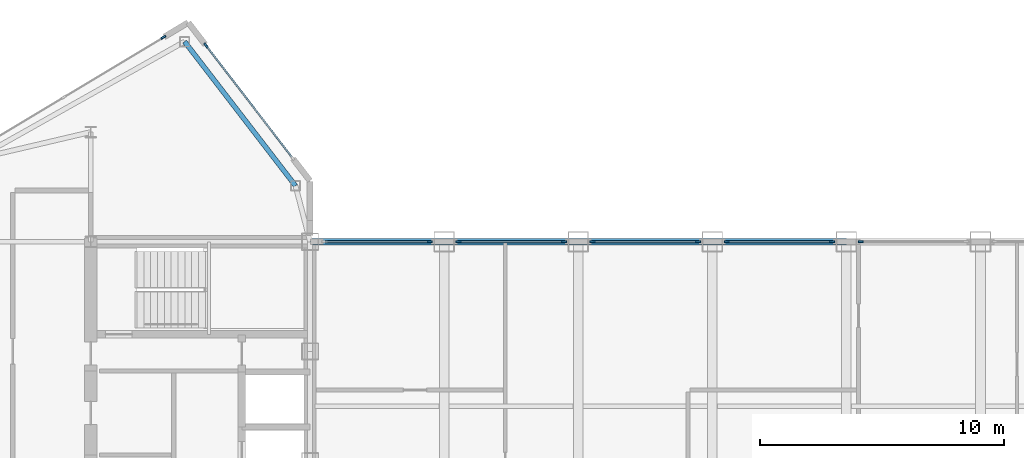
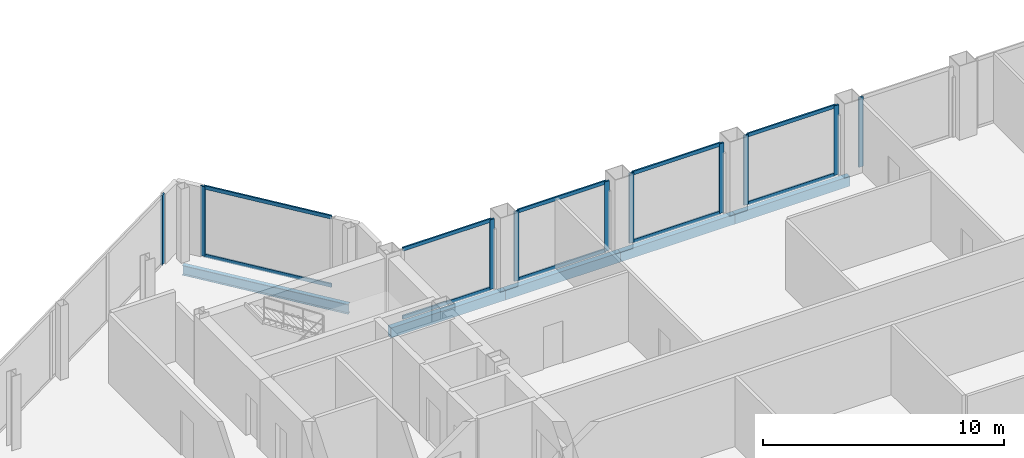
# One storey, part 12 of 29: 20 members, 5 beams, 7 elements without a shape of their own.
"""IFC4 building model written with IfcOpenShell, lengths in metres."""

from ifc_helpers import new_model, si_unit, direction, frame, origin, origin_2d, place, context, subcontext, project, spatial, rectangle, hollow_rectangle, i_section, extrude, source, transform, mapped, material, layer, layer_set, material_profile, profile_set, type_object, type_shapes, element, aggregate, save


model = new_model("IFC4")

# Units and contexts
model_context = context("Model", 3, precision=1e-05, world=origin(), true_north=direction((0.0, 1.0)))
body_context = subcontext(model_context, "Body", "Model", "MODEL_VIEW")
ifc_project = project(units=[si_unit("LENGTHUNIT", "METRE"), si_unit("AREAUNIT", "SQUARE_METRE"), si_unit("VOLUMEUNIT", "CUBIC_METRE"), si_unit("PLANEANGLEUNIT", "RADIAN"), si_unit("MASSUNIT", "GRAM", prefix="KILO")], contexts=[model_context])

# Site, building, storey
site_placement = place(None, origin())
site = spatial("IfcSite", under=ifc_project, at=site_placement, CompositionType="ELEMENT")
building_placement = place(site_placement, origin())
building = spatial("IfcBuilding", under=site, at=building_placement, Name="Seokmaru Belvedere", CompositionType="ELEMENT")
storey_placement = place(building_placement, frame((0.0, 0.0, 254.39990234375)))
storey = spatial("IfcBuildingStorey", under=building, at=storey_placement, Name="L67", CompositionType="ELEMENT", Elevation=254.39990234375)

# Beams
ifc_material_1 = material(Name="Steel SM355 (355 MPa)", Category="steel")
ifc_material_profile_1 = material_profile(ifc_material_1, i_section(OverallWidth=0.199951171875, OverallDepth=0.5, WebThickness=0.010009765625, FlangeThickness=0.01611328125, at=origin_2d()), Name="H-500x200x10x16")
ifc_profile_set_1 = profile_set([ifc_material_profile_1], Name="Steel SM355 (355 MPa)")
beam_type_1 = type_object("IfcBeamType", Name="Perimeter Spandrel Beam H-500", PredefinedType="SPANDREL", material=ifc_profile_set_1)
shared_shape_1 = source(origin(), body_context, "Body", "SweptSolid", [
    extrude(i_section(OverallWidth=0.199951171875, OverallDepth=0.5, WebThickness=0.010009765625, FlangeThickness=0.01611328125, at=origin_2d()), origin(), (0.0, 0.0, 1.0), 7.4619140625),
])
type_shapes(beam_type_1, [shared_shape_1])
beam_placement = place(storey_placement, frame((-32.649658203125, 21.71044921875, -0.469970703125), z_axis=(0.609702854945, -0.792630070507, 0.0), x_axis=(0.792630070507, 0.609702854945, 0.0)))
element("IfcBeam", 1, at=beam_placement, inside=storey, type_object=beam_type_1, Name="L67 W Shoulder Chamfer Spandrel N", PredefinedType="SPANDREL", context=body_context, shape_type="MappedRepresentation", body=[
    mapped(shared_shape_1, transform((0.0, 0.0, 0.0), scale=1.0)),
])
ifc_material_profile_2 = material_profile(ifc_material_1, hollow_rectangle(XDim=0.25, YDim=0.5, WallThickness=0.013916015625, at=origin_2d()), Name="RHS-500x250x14")
ifc_profile_set_2 = profile_set([ifc_material_profile_2], Name="Steel SM355 (355 MPa)")
beam_type_2 = type_object("IfcBeamType", Name="Bridge Edge Spandrel RHS-500", PredefinedType="SPANDREL", material=ifc_profile_set_2)
shared_shape_2 = source(origin(), body_context, "Body", "SweptSolid", [
    extrude(hollow_rectangle(XDim=0.25, YDim=0.5, WallThickness=0.013916015625, at=origin_2d()), origin(), (0.0, 0.0, 1.0), 5.5),
])
type_shapes(beam_type_2, [shared_shape_2])
for number, where, z_axis, x_axis, name in (
    (2, (-27.5, 13.5, -0.469970703125), (1.0, 0.0, 0.0), (0.0, 1.0, 0.0), "L67 Sky-Gate Bridge Edge Girder N-01"),
    (3, (-22.0, 13.5, -0.469970703125), (1.0, 0.0, 0.0), (0.0, 1.0, 0.0), "L67 Sky-Gate Bridge Edge Girder N-02"),
    (4, (-16.5, 13.5, -0.469970703125), (1.0, 0.0, 0.0), (0.0, 1.0, 0.0), "L67 Sky-Gate Bridge Edge Girder N-03"),
    (5, (-11.0, 13.5, -0.469970703125), (1.0, 0.0, 0.0), (0.0, 1.0, 0.0), "L67 Sky-Gate Bridge Edge Girder N-04"),
):
    element("IfcBeam", number, at=place(storey_placement, frame(where, z_axis=z_axis, x_axis=x_axis)), inside=storey, type_object=beam_type_2, Name=name, PredefinedType="SPANDREL", context=body_context, shape_type="MappedRepresentation", body=[
        mapped(shared_shape_2, transform((0.0, 0.0, 0.0), scale=1.0)),
    ])

# Curtain wall, members
ifc_material_2 = material(Name="Bronze Triple Insulating Glass", Category="glass")
ifc_layer = layer(ifc_material_2, 0.219970703125)
ifc_layer_set = layer_set([ifc_layer], Name="Bronze Triple Insulating Glass")
curtain_wall_type = type_object("IfcCurtainWallType", Name="Sky-Gate Bridge Panorama Curtain Wall System CW-6", PredefinedType="NOTDEFINED", material=ifc_layer_set)
curtain_wall_1_placement = place(storey_placement, origin())
curtain_wall_1 = element("IfcCurtainWall", 6, at=curtain_wall_1_placement, inside=storey, type_object=curtain_wall_type, Name="L67 Curtain Wall WF2", PredefinedType="NOTDEFINED")
ifc_material_3 = material(Name="Anodised Bronze Aluminium", Category="aluminium")
ifc_material_profile_3 = material_profile(ifc_material_3, rectangle(XDim=0.074951171875, YDim=0.179931640625, at=origin_2d()), Name="CW-T-75x180")
ifc_profile_set_3 = profile_set([ifc_material_profile_3], Name="Anodised Bronze Aluminium")
member_type_1 = type_object("IfcMemberType", Name="Bronze Unitised Transom 75x180", PredefinedType="USERDEFINED", material=ifc_profile_set_3)
shared_shape_3 = source(origin(), body_context, "Body", "SweptSolid", [
    extrude(rectangle(XDim=0.074951171875, YDim=0.179931640625, at=origin_2d()), origin(), (0.0, 0.0, 1.0), 5.74072265625),
])
member_1_placement = place(storey_placement, frame((-28.25, 16.974853515625, 0.03759765625), z_axis=(-0.609686097287, 0.792642960465, 0.0), x_axis=(-0.792642960465, -0.609686097287, 0.0)))
member_1 = element("IfcMember", 7, at=member_1_placement, type_object=member_type_1, Name="CW:L67:WF2 Continuous Transom 1", ObjectType="TRANSOM", PredefinedType="USERDEFINED", context=body_context, shape_type="MappedRepresentation", body=[
    mapped(shared_shape_3, transform((0.0, 0.0, 0.0), scale=1.0)),
])
member_2_placement = place(storey_placement, frame((-28.25, 16.974853515625, 3.49267578125), z_axis=(-0.609686097287, 0.792642960465, 0.0), x_axis=(-0.792642960465, -0.609686097287, 0.0)))
member_2 = element("IfcMember", 8, at=member_2_placement, type_object=member_type_1, Name="CW:L67:WF2 Continuous Transom 2", ObjectType="TRANSOM", PredefinedType="USERDEFINED", context=body_context, shape_type="MappedRepresentation", body=[
    mapped(shared_shape_3, transform((0.0, 0.0, 0.0), scale=1.0)),
])

curtain_wall_2_placement = place(storey_placement, origin())
curtain_wall_2 = element("IfcCurtainWall", 9, at=curtain_wall_2_placement, inside=storey, type_object=curtain_wall_type, Name="L67 Curtain Wall BR_N01", PredefinedType="NOTDEFINED")
shared_shape_4 = source(origin(), body_context, "Body", "SweptSolid", [
    extrude(rectangle(XDim=0.074951171875, YDim=0.179931640625, at=origin_2d()), origin(), (0.0, 0.0, 1.0), 4.240234375),
])
type_shapes(member_type_1, [shared_shape_3, shared_shape_4])
member_3_placement = place(storey_placement, frame((-22.6298828125, 13.5, 0.03759765625), z_axis=(-1.0, 0.0, 0.0), x_axis=(0.0, -1.0, 0.0)))
member_3 = element("IfcMember", 10, at=member_3_placement, type_object=member_type_1, Name="CW:L67:BR_N01 Continuous Transom 1", ObjectType="TRANSOM", PredefinedType="USERDEFINED", context=body_context, shape_type="MappedRepresentation", body=[
    mapped(shared_shape_4, transform((0.0, 0.0, 0.0), scale=1.0)),
])
member_4_placement = place(storey_placement, frame((-22.6298828125, 13.5, 3.49267578125), z_axis=(-1.0, 0.0, 0.0), x_axis=(0.0, -1.0, 0.0)))
member_4 = element("IfcMember", 11, at=member_4_placement, type_object=member_type_1, Name="CW:L67:BR_N01 Continuous Transom 2", ObjectType="TRANSOM", PredefinedType="USERDEFINED", context=body_context, shape_type="MappedRepresentation", body=[
    mapped(shared_shape_4, transform((0.0, 0.0, 0.0), scale=1.0)),
])

curtain_wall_3_placement = place(storey_placement, origin())
curtain_wall_3 = element("IfcCurtainWall", 12, at=curtain_wall_3_placement, inside=storey, type_object=curtain_wall_type, Name="L67 Curtain Wall BR_N02", PredefinedType="NOTDEFINED")
member_5_placement = place(storey_placement, frame((-17.1298828125, 13.5, 0.03759765625), z_axis=(-1.0, 0.0, 0.0), x_axis=(0.0, -1.0, 0.0)))
member_5 = element("IfcMember", 13, at=member_5_placement, type_object=member_type_1, Name="CW:L67:BR_N02 Continuous Transom 1", ObjectType="TRANSOM", PredefinedType="USERDEFINED", context=body_context, shape_type="MappedRepresentation", body=[
    mapped(shared_shape_4, transform((0.0, 0.0, 0.0), scale=1.0)),
])
member_6_placement = place(storey_placement, frame((-17.1298828125, 13.5, 3.49267578125), z_axis=(-1.0, 0.0, 0.0), x_axis=(0.0, -1.0, 0.0)))
member_6 = element("IfcMember", 14, at=member_6_placement, type_object=member_type_1, Name="CW:L67:BR_N02 Continuous Transom 2", ObjectType="TRANSOM", PredefinedType="USERDEFINED", context=body_context, shape_type="MappedRepresentation", body=[
    mapped(shared_shape_4, transform((0.0, 0.0, 0.0), scale=1.0)),
])

curtain_wall_4_placement = place(storey_placement, origin())
curtain_wall_4 = element("IfcCurtainWall", 15, at=curtain_wall_4_placement, inside=storey, type_object=curtain_wall_type, Name="L67 Curtain Wall BR_N03", PredefinedType="NOTDEFINED")
member_7_placement = place(storey_placement, frame((-11.6298828125, 13.5, 0.03759765625), z_axis=(-1.0, 0.0, 0.0), x_axis=(0.0, -1.0, 0.0)))
member_7 = element("IfcMember", 16, at=member_7_placement, type_object=member_type_1, Name="CW:L67:BR_N03 Continuous Transom 1", ObjectType="TRANSOM", PredefinedType="USERDEFINED", context=body_context, shape_type="MappedRepresentation", body=[
    mapped(shared_shape_4, transform((0.0, 0.0, 0.0), scale=1.0)),
])
member_8_placement = place(storey_placement, frame((-11.6298828125, 13.5, 3.49267578125), z_axis=(-1.0, 0.0, 0.0), x_axis=(0.0, -1.0, 0.0)))
member_8 = element("IfcMember", 17, at=member_8_placement, type_object=member_type_1, Name="CW:L67:BR_N03 Continuous Transom 2", ObjectType="TRANSOM", PredefinedType="USERDEFINED", context=body_context, shape_type="MappedRepresentation", body=[
    mapped(shared_shape_4, transform((0.0, 0.0, 0.0), scale=1.0)),
])

curtain_wall_5_placement = place(storey_placement, origin())
curtain_wall_5 = element("IfcCurtainWall", 18, at=curtain_wall_5_placement, inside=storey, type_object=curtain_wall_type, Name="L67 Curtain Wall BR_N04", PredefinedType="NOTDEFINED")
member_9_placement = place(storey_placement, frame((-6.1298828125, 13.5, 0.03759765625), z_axis=(-1.0, 0.0, 0.0), x_axis=(0.0, -1.0, 0.0)))
member_9 = element("IfcMember", 19, at=member_9_placement, type_object=member_type_1, Name="CW:L67:BR_N04 Continuous Transom 1", ObjectType="TRANSOM", PredefinedType="USERDEFINED", context=body_context, shape_type="MappedRepresentation", body=[
    mapped(shared_shape_4, transform((0.0, 0.0, 0.0), scale=1.0)),
])
member_10_placement = place(storey_placement, frame((-6.1298828125, 13.5, 3.49267578125), z_axis=(-1.0, 0.0, 0.0), x_axis=(0.0, -1.0, 0.0)))
member_10 = element("IfcMember", 20, at=member_10_placement, type_object=member_type_1, Name="CW:L67:BR_N04 Continuous Transom 2", ObjectType="TRANSOM", PredefinedType="USERDEFINED", context=body_context, shape_type="MappedRepresentation", body=[
    mapped(shared_shape_4, transform((0.0, 0.0, 0.0), scale=1.0)),
])

# Member
ifc_material_profile_4 = material_profile(ifc_material_3, rectangle(XDim=0.080078125, YDim=0.219970703125, at=origin_2d()), Name="CW-M-80x220")
ifc_profile_set_4 = profile_set([ifc_material_profile_4], Name="Anodised Bronze Aluminium")
member_type_2 = type_object("IfcMemberType", Name="Bronze Unitised Mullion 80x220", PredefinedType="MULLION", material=ifc_profile_set_4)
shared_shape_5 = source(origin(), body_context, "Body", "SweptSolid", [
    extrude(rectangle(XDim=0.080078125, YDim=0.219970703125, at=origin_2d()), origin(), (0.0, 0.0, 1.0), 3.530029296875),
])
type_shapes(member_type_2, [shared_shape_5])
member_11_placement = place(storey_placement, frame((-31.7744140625, 21.556884765625, 0.0), z_axis=(0.0, 0.0, 1.0), x_axis=(-0.792631353244, -0.609701187349, 0.0)))
member_11 = element("IfcMember", 21, at=member_11_placement, type_object=member_type_2, Name="CW:L67:WF2 Mullion 2", PredefinedType="MULLION", context=body_context, shape_type="MappedRepresentation", body=[
    mapped(shared_shape_5, transform((0.0, 0.0, 0.0), scale=1.0)),
])

aggregate(curtain_wall_1, [member_11, member_1, member_2])

# Curtain wall, member
curtain_wall_6_placement = place(storey_placement, origin())
curtain_wall_6 = element("IfcCurtainWall", 22, at=curtain_wall_6_placement, inside=storey, type_object=curtain_wall_type, Name="L67 Curtain Wall WF3", PredefinedType="NOTDEFINED")
member_12_placement = place(storey_placement, frame((-33.5205078125, 21.8876953125, 0.0), z_axis=(0.0, 0.0, 1.0), x_axis=(0.514494909364, -0.85749343335, 0.0)))
member_12 = element("IfcMember", 23, at=member_12_placement, type_object=member_type_2, Name="CW:L67:WF3 Mullion 1", PredefinedType="MULLION", context=body_context, shape_type="MappedRepresentation", body=[
    mapped(shared_shape_5, transform((0.0, 0.0, 0.0), scale=1.0)),
])
aggregate(curtain_wall_6, [member_12])

# Member
member_13_placement = place(storey_placement, frame((-22.590087890625, 13.5, 0.0), z_axis=(0.0, 0.0, 1.0), x_axis=(0.0, -1.0, 0.0)))
member_13 = element("IfcMember", 24, at=member_13_placement, type_object=member_type_2, Name="CW:L67:BR_N01 Mullion 1", PredefinedType="MULLION", context=body_context, shape_type="MappedRepresentation", body=[
    mapped(shared_shape_5, transform((0.0, 0.0, 0.0), scale=1.0)),
])

aggregate(curtain_wall_2, [member_13, member_3, member_4])

member_14_placement = place(storey_placement, frame((-17.090087890625, 13.5, 0.0), z_axis=(0.0, 0.0, 1.0), x_axis=(0.0, -1.0, 0.0)))
member_14 = element("IfcMember", 25, at=member_14_placement, type_object=member_type_2, Name="CW:L67:BR_N02 Mullion 1", PredefinedType="MULLION", context=body_context, shape_type="MappedRepresentation", body=[
    mapped(shared_shape_5, transform((0.0, 0.0, 0.0), scale=1.0)),
])

member_15_placement = place(storey_placement, frame((-21.409912109375, 13.5, 0.0), z_axis=(0.0, 0.0, 1.0), x_axis=(0.0, -1.0, 0.0)))
member_15 = element("IfcMember", 26, at=member_15_placement, type_object=member_type_2, Name="CW:L67:BR_N02 Mullion 2", PredefinedType="MULLION", context=body_context, shape_type="MappedRepresentation", body=[
    mapped(shared_shape_5, transform((0.0, 0.0, 0.0), scale=1.0)),
])

aggregate(curtain_wall_3, [member_14, member_15, member_5, member_6])

member_16_placement = place(storey_placement, frame((-11.590087890625, 13.5, 0.0), z_axis=(0.0, 0.0, 1.0), x_axis=(0.0, -1.0, 0.0)))
member_16 = element("IfcMember", 27, at=member_16_placement, type_object=member_type_2, Name="CW:L67:BR_N03 Mullion 1", PredefinedType="MULLION", context=body_context, shape_type="MappedRepresentation", body=[
    mapped(shared_shape_5, transform((0.0, 0.0, 0.0), scale=1.0)),
])

member_17_placement = place(storey_placement, frame((-15.909912109375, 13.5, 0.0), z_axis=(0.0, 0.0, 1.0), x_axis=(0.0, -1.0, 0.0)))
member_17 = element("IfcMember", 28, at=member_17_placement, type_object=member_type_2, Name="CW:L67:BR_N03 Mullion 2", PredefinedType="MULLION", context=body_context, shape_type="MappedRepresentation", body=[
    mapped(shared_shape_5, transform((0.0, 0.0, 0.0), scale=1.0)),
])

aggregate(curtain_wall_4, [member_16, member_17, member_7, member_8])

member_18_placement = place(storey_placement, frame((-6.090087890625, 13.5, 0.0), z_axis=(0.0, 0.0, 1.0), x_axis=(0.0, -1.0, 0.0)))
member_18 = element("IfcMember", 29, at=member_18_placement, type_object=member_type_2, Name="CW:L67:BR_N04 Mullion 1", PredefinedType="MULLION", context=body_context, shape_type="MappedRepresentation", body=[
    mapped(shared_shape_5, transform((0.0, 0.0, 0.0), scale=1.0)),
])

member_19_placement = place(storey_placement, frame((-10.409912109375, 13.5, 0.0), z_axis=(0.0, 0.0, 1.0), x_axis=(0.0, -1.0, 0.0)))
member_19 = element("IfcMember", 30, at=member_19_placement, type_object=member_type_2, Name="CW:L67:BR_N04 Mullion 2", PredefinedType="MULLION", context=body_context, shape_type="MappedRepresentation", body=[
    mapped(shared_shape_5, transform((0.0, 0.0, 0.0), scale=1.0)),
])

aggregate(curtain_wall_5, [member_18, member_19, member_9, member_10])

# Curtain wall, member
curtain_wall_7_placement = place(storey_placement, origin())
curtain_wall_7 = element("IfcCurtainWall", 31, at=curtain_wall_7_placement, inside=storey, type_object=curtain_wall_type, Name="L67 Curtain Wall BR_N05", PredefinedType="NOTDEFINED")
member_20_placement = place(storey_placement, frame((-4.909912109375, 13.5, 0.0), z_axis=(0.0, 0.0, 1.0), x_axis=(0.0, -1.0, 0.0)))
member_20 = element("IfcMember", 32, at=member_20_placement, type_object=member_type_2, Name="CW:L67:BR_N05 Mullion 2", PredefinedType="MULLION", context=body_context, shape_type="MappedRepresentation", body=[
    mapped(shared_shape_5, transform((0.0, 0.0, 0.0), scale=1.0)),
])
aggregate(curtain_wall_7, [member_20])

save(model, "model.ifc")
